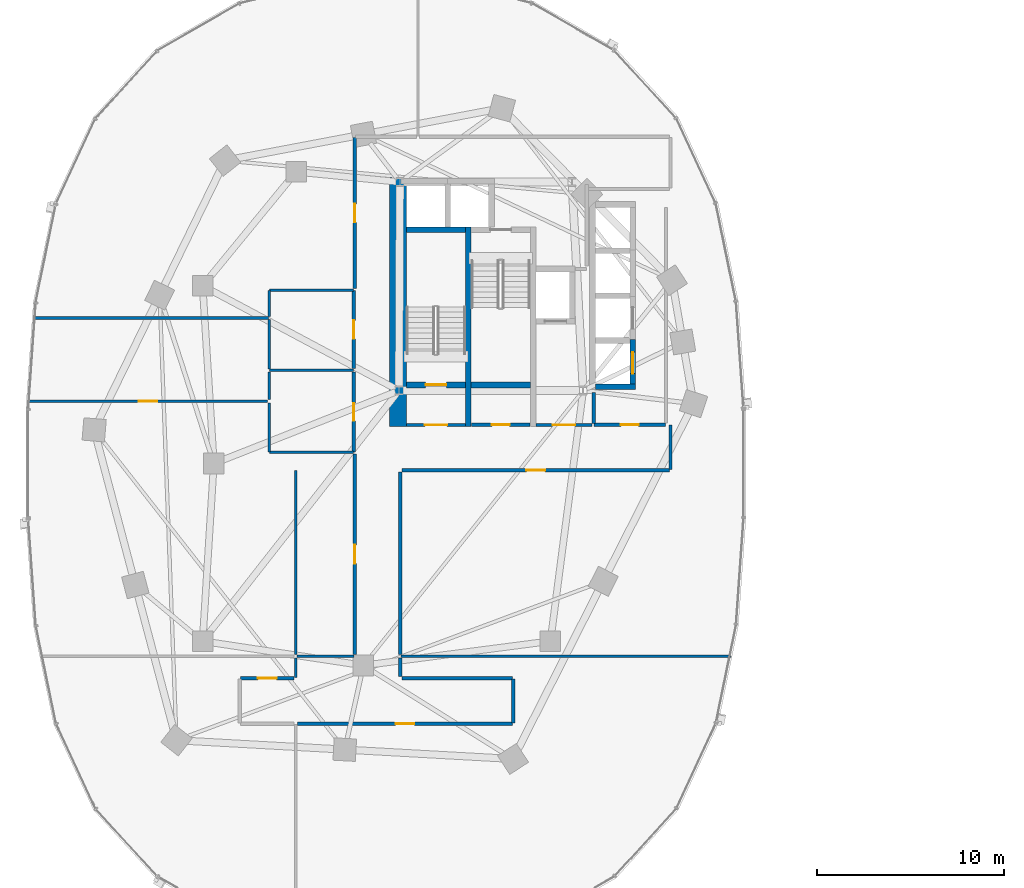
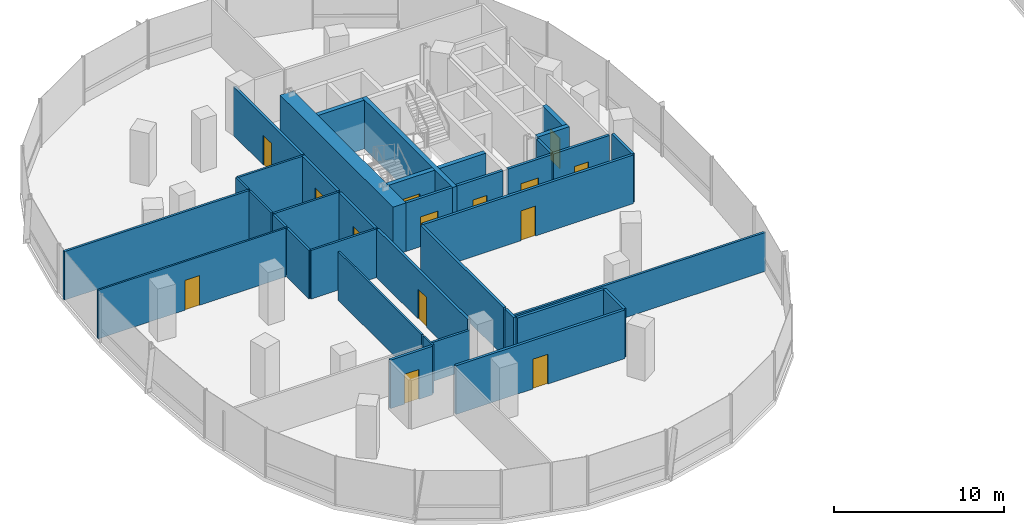
# One storey, part 11 of 21: 37 walls, 14 doors, 14 openings.
"""IFC4 building model written with IfcOpenShell, lengths in metres."""

from ifc_helpers import new_model, si_unit, direction, frame, frame_2d, origin, place, context, subcontext, project, spatial, rectangle, extrude, material, layer, layer_set, type_object, element, fill, save


model = new_model("IFC4")

# Units and contexts
model_context = context("Model", 3, precision=1e-05, world=origin(), true_north=direction((0.0, 1.0)))
body_context = subcontext(model_context, "Body", "Model", "MODEL_VIEW")
ifc_project = project(units=[si_unit("LENGTHUNIT", "METRE"), si_unit("AREAUNIT", "SQUARE_METRE"), si_unit("VOLUMEUNIT", "CUBIC_METRE"), si_unit("PLANEANGLEUNIT", "RADIAN"), si_unit("MASSUNIT", "GRAM", prefix="KILO"), si_unit("THERMODYNAMICTEMPERATUREUNIT", "KELVIN"), si_unit("POWERUNIT", "WATT")], contexts=[model_context])

# Site, building, storey
site_placement = place(None, origin())
site = spatial("IfcSite", under=ifc_project, at=site_placement, CompositionType="ELEMENT")
building_placement = place(site_placement, origin())
building = spatial("IfcBuilding", under=site, at=building_placement, Name="Cundina Bronze Exchange", CompositionType="ELEMENT")
storey_placement = place(building_placement, frame((0.0, 0.0, 54.39990234375)))
storey = spatial("IfcBuildingStorey", under=building, at=storey_placement, Name="L13", CompositionType="ELEMENT", Elevation=54.39990234375)

# Wall
ifc_material_1 = material(Name="Gypsum Fireboard Partition EI120")
ifc_layer_1 = layer(ifc_material_1, 0.179931640625, Name="Gypsum Fireboard Partition EI120")
ifc_layer_set_1 = layer_set([ifc_layer_1], Name="Gypsum Fireboard Partition EI120")
wall_type_1 = type_object("IfcWallType", Name="WL-COR-180", PredefinedType="PARTITIONING", material=ifc_layer_set_1)
wall_1_placement = place(storey_placement, frame((-20.889892578125, 2.14990234375, 0.0), z_axis=(0.0, 0.0, 1.0), x_axis=(0.0, 1.0, 0.0)))
element("IfcWall", 1, at=wall_1_placement, inside=storey, type_object=wall_type_1, Name="L13 W Firefighting Lobby Side Wall", PredefinedType="PARTITIONING", context=body_context, shape_type="SweptSolid", body=[
    extrude(rectangle(XDim=1.650146484375, YDim=0.179931640625, at=frame_2d((0.8251953125, 0.0))), origin(), (0.0, 0.0, 1.0), 3.5),
])

# Wall, opening, door
wall_2_placement = place(storey_placement, frame((-23.97998046875, 2.06005859375, 0.0), z_axis=(0.0, 0.0, 1.0), x_axis=(1.0, 0.0, 0.0)))
wall_2 = element("IfcWall", 2, at=wall_2_placement, inside=storey, type_object=wall_type_1, Name="L13 W Firefighting Lobby Exit Wall", PredefinedType="PARTITIONING", context=body_context, shape_type="SweptSolid", body=[
    extrude(rectangle(XDim=3.0, YDim=0.179931640625, at=frame_2d((1.5, 0.0))), origin(), (0.0, 0.0, 1.0), 3.5),
])
opening_1_placement = place(wall_2_placement, frame((0.89990234375, 0.0, 0.0)))
opening_1 = element("IfcOpeningElement", 3, at=opening_1_placement, cuts=wall_2, Name="Opening DF-01", PredefinedType="OPENING", context=body_context, shape_type="SweptSolid", body=[
    extrude(rectangle(XDim=1.199951171875, YDim=2.14990234375, at=frame_2d((0.60009765625, 1.074951171875))), frame((0.0, 0.099853515625, 0.0), z_axis=(0.0, -1.0, 0.0), x_axis=(1.0, 0.0, 0.0)), (0.0, 0.0, 1.0), 0.199951171875),
])
ifc_material_2 = material(Name="Steel ASTM A36 Painted", Category="steel")
door_type_1 = type_object("IfcDoorType", Name="DR-FFL-1200", OperationType="NOTDEFINED", PredefinedType="DOOR", material=ifc_material_2)
door_1_placement = place(opening_1_placement, origin())
door_1 = element("IfcDoor", 4, at=door_1_placement, inside=storey, type_object=door_type_1, Name="L13 W Firefighting Lobby Door", OperationType="SINGLE_SWING_RIGHT", OverallHeight=2.14990234375, OverallWidth=1.199951171875, PredefinedType="DOOR", context=body_context, shape_type="SweptSolid", body=[
    extrude(rectangle(XDim=1.199951171875, YDim=2.14990234375, at=frame_2d((0.60009765625, 1.074951171875))), frame((0.0, 0.02490234375, 0.0), z_axis=(0.0, -1.0, 0.0), x_axis=(1.0, 0.0, 0.0)), (0.0, 0.0, 1.0), 0.050048828125),
])
fill(opening_1, door_1)

wall_3_placement = place(storey_placement, frame((-30.89990234375, 2.06005859375, 0.0), z_axis=(0.0, 0.0, 1.0), x_axis=(1.0, 0.0, 0.0)))
wall_3 = element("IfcWall", 5, at=wall_3_placement, inside=storey, type_object=wall_type_1, Name="L13 W Stair Vestibule Exit Wall", PredefinedType="PARTITIONING", context=body_context, shape_type="SweptSolid", body=[
    extrude(rectangle(XDim=3.159912109375, YDim=0.179931640625, at=frame_2d((1.580078125, 0.0))), origin(), (0.0, 0.0, 1.0), 3.5),
])
opening_2_placement = place(wall_3_placement, frame((0.97998046875, 0.0, 0.0)))
opening_2 = element("IfcOpeningElement", 6, at=opening_2_placement, cuts=wall_3, Name="Opening DF-01", PredefinedType="OPENING", context=body_context, shape_type="SweptSolid", body=[
    extrude(rectangle(XDim=1.199951171875, YDim=2.14990234375, at=frame_2d((0.60009765625, 1.074951171875))), frame((0.0, 0.099853515625, 0.0), z_axis=(0.0, -1.0, 0.0), x_axis=(1.0, 0.0, 0.0)), (0.0, 0.0, 1.0), 0.199951171875),
])
door_2_placement = place(opening_2_placement, origin())
door_2 = element("IfcDoor", 7, at=door_2_placement, inside=storey, type_object=door_type_1, Name="L13 W Stair Vestibule Door", OperationType="SINGLE_SWING_LEFT", OverallHeight=2.14990234375, OverallWidth=1.199951171875, PredefinedType="DOOR", context=body_context, shape_type="SweptSolid", body=[
    extrude(rectangle(XDim=1.199951171875, YDim=2.14990234375, at=frame_2d((0.60009765625, 1.074951171875))), frame((0.0, 0.02490234375, 0.0), z_axis=(0.0, -1.0, 0.0), x_axis=(1.0, 0.0, 0.0)), (0.0, 0.0, 1.0), 0.050048828125),
])
fill(opening_2, door_2)

wall_4_placement = place(storey_placement, frame((-20.8701171875, 2.070068359375, 0.0), z_axis=(0.0, 0.0, 1.0), x_axis=(1.0, 0.0, 0.0)))
wall_4 = element("IfcWall", 8, at=wall_4_placement, inside=storey, type_object=wall_type_1, Name="L13 Interior Partition 002", PredefinedType="PARTITIONING", context=body_context, shape_type="SweptSolid", body=[
    extrude(rectangle(XDim=3.830078125, YDim=0.179931640625, at=frame_2d((1.9150390625, 0.0))), origin(), (0.0, 0.0, 1.0), 3.5),
])
opening_3_placement = place(wall_4_placement, frame((1.43994140625, 0.0, 0.0)))
opening_3 = element("IfcOpeningElement", 9, at=opening_3_placement, cuts=wall_4, Name="Opening DW-01", PredefinedType="OPENING", context=body_context, shape_type="SweptSolid", body=[
    extrude(rectangle(XDim=0.949951171875, YDim=2.10009765625, at=frame_2d((0.47509765625, 1.050048828125))), frame((0.0, 0.099853515625, 0.0), z_axis=(0.0, -1.0, 0.0), x_axis=(1.0, 0.0, 0.0)), (0.0, 0.0, 1.0), 0.199951171875),
])
ifc_material_3 = material(Name="Solid Andean Oak Timber Grade A", Category="wood")
door_type_2 = type_object("IfcDoorType", Name="DR-WC-950", OperationType="NOTDEFINED", PredefinedType="DOOR", material=ifc_material_3)
door_3_placement = place(opening_3_placement, origin())
door_3 = element("IfcDoor", 10, at=door_3_placement, inside=storey, type_object=door_type_2, Name="L13 Interior Door 002", OperationType="SINGLE_SWING_RIGHT", OverallHeight=2.10009765625, OverallWidth=0.949951171875, PredefinedType="DOOR", context=body_context, shape_type="SweptSolid", body=[
    extrude(rectangle(XDim=0.949951171875, YDim=2.10009765625, at=frame_2d((0.47509765625, 1.050048828125))), frame((0.0, 0.02490234375, 0.0), z_axis=(0.0, -1.0, 0.0), x_axis=(1.0, 0.0, 0.0)), (0.0, 0.0, 1.0), 0.050048828125),
])
fill(opening_3, door_3)

wall_5_placement = place(storey_placement, frame((-27.419921875, 2.070068359375, 0.0), z_axis=(0.0, 0.0, 1.0), x_axis=(1.0, 0.0, 0.0)))
wall_5 = element("IfcWall", 11, at=wall_5_placement, inside=storey, type_object=wall_type_1, Name="L13 Interior Partition 005", PredefinedType="PARTITIONING", context=body_context, shape_type="SweptSolid", body=[
    extrude(rectangle(XDim=3.119873046875, YDim=0.179931640625, at=frame_2d((1.56005859375, 0.0))), origin(), (0.0, 0.0, 1.0), 3.5),
])
opening_4_placement = place(wall_5_placement, frame((1.0849609375, 0.0, 0.0)))
opening_4 = element("IfcOpeningElement", 12, at=opening_4_placement, cuts=wall_5, Name="Opening DW-01", PredefinedType="OPENING", context=body_context, shape_type="SweptSolid", body=[
    extrude(rectangle(XDim=0.949951171875, YDim=2.10009765625, at=frame_2d((0.47509765625, 1.050048828125))), frame((0.0, 0.099853515625, 0.0), z_axis=(0.0, -1.0, 0.0), x_axis=(1.0, 0.0, 0.0)), (0.0, 0.0, 1.0), 0.199951171875),
])
door_4_placement = place(opening_4_placement, origin())
door_4 = element("IfcDoor", 13, at=door_4_placement, inside=storey, type_object=door_type_2, Name="L13 Interior Door 005", OperationType="SINGLE_SWING_RIGHT", OverallHeight=2.10009765625, OverallWidth=0.949951171875, PredefinedType="DOOR", context=body_context, shape_type="SweptSolid", body=[
    extrude(rectangle(XDim=0.949951171875, YDim=2.10009765625, at=frame_2d((0.47509765625, 1.050048828125))), frame((0.0, 0.02490234375, 0.0), z_axis=(0.0, -1.0, 0.0), x_axis=(1.0, 0.0, 0.0)), (0.0, 0.0, 1.0), 0.050048828125),
])
fill(opening_4, door_4)

wall_6_placement = place(storey_placement, frame((-33.719970703125, 0.6201171875, 0.0), z_axis=(0.0, 0.0, 1.0), x_axis=(0.0, 1.0, 0.0)))
wall_6 = element("IfcWall", 14, at=wall_6_placement, inside=storey, type_object=wall_type_1, Name="L13 Interior Partition 013", PredefinedType="PARTITIONING", context=body_context, shape_type="SweptSolid", body=[
    extrude(rectangle(XDim=4.259765625, YDim=0.179931640625, at=frame_2d((2.1298828125, 0.0))), origin(), (0.0, 0.0, 1.0), 3.5),
])
opening_5_placement = place(wall_6_placement, frame((1.655029296875, 0.0, 0.0)))
opening_5 = element("IfcOpeningElement", 15, at=opening_5_placement, cuts=wall_6, Name="Opening DW-01", PredefinedType="OPENING", context=body_context, shape_type="SweptSolid", body=[
    extrude(rectangle(XDim=0.949951171875, YDim=2.10009765625, at=frame_2d((0.47509765625, 1.050048828125))), frame((0.0, 0.099853515625, 0.0), z_axis=(0.0, -1.0, 0.0), x_axis=(1.0, 0.0, 0.0)), (0.0, 0.0, 1.0), 0.199951171875),
])
door_5_placement = place(opening_5_placement, origin())
door_5 = element("IfcDoor", 16, at=door_5_placement, inside=storey, type_object=door_type_2, Name="L13 Interior Door 013", OperationType="SINGLE_SWING_RIGHT", OverallHeight=2.10009765625, OverallWidth=0.949951171875, PredefinedType="DOOR", context=body_context, shape_type="SweptSolid", body=[
    extrude(rectangle(XDim=0.949951171875, YDim=2.10009765625, at=frame_2d((0.47509765625, 1.050048828125))), frame((0.0, 0.02490234375, 0.0), z_axis=(0.0, -1.0, 0.0), x_axis=(1.0, 0.0, 0.0)), (0.0, 0.0, 1.0), 0.050048828125),
])
fill(opening_5, door_5)

wall_7_placement = place(storey_placement, frame((-33.719970703125, 5.080078125, 0.0), z_axis=(0.0, 0.0, 1.0), x_axis=(0.0, 1.0, 0.0)))
wall_7 = element("IfcWall", 17, at=wall_7_placement, inside=storey, type_object=wall_type_1, Name="L13 Interior Partition 014", PredefinedType="PARTITIONING", context=body_context, shape_type="SweptSolid", body=[
    extrude(rectangle(XDim=4.159912109375, YDim=0.179931640625, at=frame_2d((2.080078125, 0.0))), origin(), (0.0, 0.0, 1.0), 3.5),
])
opening_6_placement = place(wall_7_placement, frame((1.580078125, 0.0, 0.0)))
opening_6 = element("IfcOpeningElement", 18, at=opening_6_placement, cuts=wall_7, Name="Opening DO-01", PredefinedType="OPENING", context=body_context, shape_type="SweptSolid", body=[
    extrude(rectangle(XDim=1.0, YDim=2.14990234375, at=frame_2d((0.5, 1.074951171875))), frame((0.0, 0.099853515625, 0.0), z_axis=(0.0, -1.0, 0.0), x_axis=(1.0, 0.0, 0.0)), (0.0, 0.0, 1.0), 0.199951171875),
])
door_type_3 = type_object("IfcDoorType", Name="DR-OFF-1000", OperationType="NOTDEFINED", PredefinedType="DOOR", material=ifc_material_3)
door_6_placement = place(opening_6_placement, origin())
door_6 = element("IfcDoor", 19, at=door_6_placement, inside=storey, type_object=door_type_3, Name="L13 Interior Door 014", OperationType="SINGLE_SWING_RIGHT", OverallHeight=2.14990234375, OverallWidth=1.0, PredefinedType="DOOR", context=body_context, shape_type="SweptSolid", body=[
    extrude(rectangle(XDim=1.0, YDim=2.14990234375, at=frame_2d((0.5, 1.074951171875))), frame((0.0, 0.02490234375, 0.0), z_axis=(0.0, -1.0, 0.0), x_axis=(1.0, 0.0, 0.0)), (0.0, 0.0, 1.0), 0.050048828125),
])
fill(opening_6, door_6)

wall_8_placement = place(storey_placement, frame((-36.72998046875, -13.919921875, 0.0), z_axis=(0.0, 0.0, 1.0), x_axis=(1.0, 0.0, 0.0)))
wall_8 = element("IfcWall", 20, at=wall_8_placement, inside=storey, type_object=wall_type_1, Name="L13 Interior Partition 023", PredefinedType="PARTITIONING", context=body_context, shape_type="SweptSolid", body=[
    extrude(rectangle(XDim=11.508544921875, YDim=0.179931640625, at=frame_2d((5.75439453125, 0.0))), origin(), (0.0, 0.0, 1.0), 3.5),
])
opening_7_placement = place(wall_8_placement, frame((5.254150390625, 0.0, 0.0)))
opening_7 = element("IfcOpeningElement", 21, at=opening_7_placement, cuts=wall_8, Name="Opening DO-01", PredefinedType="OPENING", context=body_context, shape_type="SweptSolid", body=[
    extrude(rectangle(XDim=1.0, YDim=2.14990234375, at=frame_2d((0.5, 1.074951171875))), frame((0.0, 0.099853515625, 0.0), z_axis=(0.0, -1.0, 0.0), x_axis=(1.0, 0.0, 0.0)), (0.0, 0.0, 1.0), 0.199951171875),
])
door_7_placement = place(opening_7_placement, origin())
door_7 = element("IfcDoor", 22, at=door_7_placement, inside=storey, type_object=door_type_3, Name="L13 Interior Door 023", OperationType="SINGLE_SWING_RIGHT", OverallHeight=2.14990234375, OverallWidth=1.0, PredefinedType="DOOR", context=body_context, shape_type="SweptSolid", body=[
    extrude(rectangle(XDim=1.0, YDim=2.14990234375, at=frame_2d((0.5, 1.074951171875))), frame((0.0, 0.02490234375, 0.0), z_axis=(0.0, -1.0, 0.0), x_axis=(1.0, 0.0, 0.0)), (0.0, 0.0, 1.0), 0.050048828125),
])
fill(opening_7, door_7)

# Walls
wall_9_placement = place(storey_placement, frame((-25.221435546875, -11.47998046875, 0.0), z_axis=(0.0, 0.0, 1.0), x_axis=(-1.0, 0.0, 0.0)))
element("IfcWall", 23, at=wall_9_placement, inside=storey, type_object=wall_type_1, Name="L13 Interior Partition 024", PredefinedType="PARTITIONING", context=body_context, shape_type="SweptSolid", body=[
    extrude(rectangle(XDim=5.928466796875, YDim=0.179931640625, at=frame_2d((2.96435546875, 0.0))), origin(), (0.0, 0.0, 1.0), 3.5),
])
wall_10_placement = place(storey_placement, frame((-25.179931640625, -13.87841796875, 0.0), z_axis=(0.0, 0.0, 1.0), x_axis=(0.0, 1.0, 0.0)))
element("IfcWall", 24, at=wall_10_placement, inside=storey, type_object=wall_type_1, Name="L13 Interior Partition 025", PredefinedType="PARTITIONING", context=body_context, shape_type="SweptSolid", body=[
    extrude(rectangle(XDim=2.35693359375, YDim=0.179931640625, at=frame_2d((1.178466796875, 0.0))), origin(), (0.0, 0.0, 1.0), 3.5),
])
wall_11_placement = place(storey_placement, frame((-31.22998046875, -11.39990234375, 0.0), z_axis=(0.0, 0.0, 1.0), x_axis=(0.0, 1.0, 0.0)))
element("IfcWall", 25, at=wall_11_placement, inside=storey, type_object=wall_type_1, Name="L13 Interior Partition 026", PredefinedType="PARTITIONING", context=body_context, shape_type="SweptSolid", body=[
    extrude(rectangle(XDim=1.0, YDim=0.179931640625, at=frame_2d((0.5, 0.0))), origin(), (0.0, 0.0, 1.0), 3.5),
])

# Wall, opening, door
wall_12_placement = place(storey_placement, frame((-36.909912109375, -11.47998046875, 0.0), z_axis=(0.0, 0.0, 1.0), x_axis=(-1.0, 0.0, 0.0)))
wall_12 = element("IfcWall", 26, at=wall_12_placement, inside=storey, type_object=wall_type_1, Name="L13 Interior Partition 027", PredefinedType="PARTITIONING", context=body_context, shape_type="SweptSolid", body=[
    extrude(rectangle(XDim=2.86865234375, YDim=0.179931640625, at=frame_2d((1.434326171875, 0.0))), origin(), (0.0, 0.0, 1.0), 3.5),
])
opening_8_placement = place(wall_12_placement, frame((0.934326171875, 0.0, 0.0)))
opening_8 = element("IfcOpeningElement", 27, at=opening_8_placement, cuts=wall_12, Name="Opening DO-01", PredefinedType="OPENING", context=body_context, shape_type="SweptSolid", body=[
    extrude(rectangle(XDim=1.0, YDim=2.14990234375, at=frame_2d((0.5, 1.074951171875))), frame((0.0, 0.099853515625, 0.0), z_axis=(0.0, -1.0, 0.0), x_axis=(1.0, 0.0, 0.0)), (0.0, 0.0, 1.0), 0.199951171875),
])
door_8_placement = place(opening_8_placement, origin())
door_8 = element("IfcDoor", 28, at=door_8_placement, inside=storey, type_object=door_type_3, Name="L13 Interior Door 027", OperationType="SINGLE_SWING_LEFT", OverallHeight=2.14990234375, OverallWidth=1.0, PredefinedType="DOOR", context=body_context, shape_type="SweptSolid", body=[
    extrude(rectangle(XDim=1.0, YDim=2.14990234375, at=frame_2d((0.5, 1.074951171875))), frame((0.0, 0.02490234375, 0.0), z_axis=(0.0, -1.0, 0.0), x_axis=(1.0, 0.0, 0.0)), (0.0, 0.0, 1.0), 0.050048828125),
])
fill(opening_8, door_8)

wall_13_placement = place(storey_placement, frame((-33.669921875, 0.508544921875, 0.0), z_axis=(0.0, 0.0, 1.0), x_axis=(0.0, -1.0, 0.0)))
wall_13 = element("IfcWall", 29, at=wall_13_placement, inside=storey, type_object=wall_type_1, Name="L13 Interior Partition 030", PredefinedType="PARTITIONING", context=body_context, shape_type="SweptSolid", body=[
    extrude(rectangle(XDim=10.728515625, YDim=0.179931640625, at=frame_2d((5.3642578125, 0.0))), origin(), (0.0, 0.0, 1.0), 3.5),
])
opening_9_placement = place(wall_13_placement, frame((4.8642578125, 0.0, 0.0)))
opening_9 = element("IfcOpeningElement", 30, at=opening_9_placement, cuts=wall_13, Name="Opening DO-01", PredefinedType="OPENING", context=body_context, shape_type="SweptSolid", body=[
    extrude(rectangle(XDim=1.0, YDim=2.14990234375, at=frame_2d((0.5, 1.074951171875))), frame((0.0, 0.099853515625, 0.0), z_axis=(0.0, -1.0, 0.0), x_axis=(1.0, 0.0, 0.0)), (0.0, 0.0, 1.0), 0.199951171875),
])
door_9_placement = place(opening_9_placement, origin())
door_9 = element("IfcDoor", 31, at=door_9_placement, inside=storey, type_object=door_type_3, Name="L13 Interior Door 030", OperationType="SINGLE_SWING_LEFT", OverallHeight=2.14990234375, OverallWidth=1.0, PredefinedType="DOOR", context=body_context, shape_type="SweptSolid", body=[
    extrude(rectangle(XDim=1.0, YDim=2.14990234375, at=frame_2d((0.5, 1.074951171875))), frame((0.0, 0.02490234375, 0.0), z_axis=(0.0, -1.0, 0.0), x_axis=(1.0, 0.0, 0.0)), (0.0, 0.0, 1.0), 0.050048828125),
])
fill(opening_9, door_9)

wall_14_placement = place(storey_placement, frame((-31.14990234375, -0.3701171875, 0.0), z_axis=(0.0, 0.0, 1.0), x_axis=(1.0, 0.0, 0.0)))
wall_14 = element("IfcWall", 32, at=wall_14_placement, inside=storey, type_object=wall_type_1, Name="L13 Interior Partition 031", PredefinedType="PARTITIONING", context=body_context, shape_type="SweptSolid", body=[
    extrude(rectangle(XDim=14.328369140625, YDim=0.179931640625, at=frame_2d((7.1640625, 0.0))), origin(), (0.0, 0.0, 1.0), 3.5),
])
opening_10_placement = place(wall_14_placement, frame((6.664306640625, 0.0, 0.0)))
opening_10 = element("IfcOpeningElement", 33, at=opening_10_placement, cuts=wall_14, Name="Opening DO-01", PredefinedType="OPENING", context=body_context, shape_type="SweptSolid", body=[
    extrude(rectangle(XDim=1.0, YDim=2.14990234375, at=frame_2d((0.5, 1.074951171875))), frame((0.0, 0.099853515625, 0.0), z_axis=(0.0, -1.0, 0.0), x_axis=(1.0, 0.0, 0.0)), (0.0, 0.0, 1.0), 0.199951171875),
])
door_10_placement = place(opening_10_placement, origin())
door_10 = element("IfcDoor", 34, at=door_10_placement, inside=storey, type_object=door_type_3, Name="L13 Interior Door 031", OperationType="SINGLE_SWING_RIGHT", OverallHeight=2.14990234375, OverallWidth=1.0, PredefinedType="DOOR", context=body_context, shape_type="SweptSolid", body=[
    extrude(rectangle(XDim=1.0, YDim=2.14990234375, at=frame_2d((0.5, 1.074951171875))), frame((0.0, 0.02490234375, 0.0), z_axis=(0.0, -1.0, 0.0), x_axis=(1.0, 0.0, 0.0)), (0.0, 0.0, 1.0), 0.050048828125),
])
fill(opening_10, door_10)

# Walls
wall_15_placement = place(storey_placement, frame((-31.22998046875, -10.219970703125, 0.0), z_axis=(0.0, 0.0, 1.0), x_axis=(0.0, 1.0, 0.0)))
element("IfcWall", 35, at=wall_15_placement, inside=storey, type_object=wall_type_1, Name="L13 Interior Partition 033", PredefinedType="PARTITIONING", context=body_context, shape_type="SweptSolid", body=[
    extrude(rectangle(XDim=9.77001953125, YDim=0.179931640625, at=frame_2d((4.885009765625, 0.0))), origin(), (0.0, 0.0, 1.0), 3.5),
])
wall_16_placement = place(storey_placement, frame((-16.780029296875, -0.32861328125, 0.0), z_axis=(0.0, 0.0, 1.0), x_axis=(0.0, 1.0, 0.0)))
element("IfcWall", 36, at=wall_16_placement, inside=storey, type_object=wall_type_1, Name="L13 Interior Partition 036", PredefinedType="PARTITIONING", context=body_context, shape_type="SweptSolid", body=[
    extrude(rectangle(XDim=2.38720703125, YDim=0.179931640625, at=frame_2d((1.193603515625, 0.0))), origin(), (0.0, 0.0, 1.0), 3.5),
])

# Wall, opening, door
wall_17_placement = place(storey_placement, frame((-33.669921875, 17.428466796875, 0.0), z_axis=(0.0, 0.0, 1.0), x_axis=(0.0, -1.0, 0.0)))
wall_17 = element("IfcWall", 37, at=wall_17_placement, inside=storey, type_object=wall_type_1, Name="L13 Interior Partition 037", PredefinedType="PARTITIONING", context=body_context, shape_type="SweptSolid", body=[
    extrude(rectangle(XDim=8.0771484375, YDim=0.179931640625, at=frame_2d((4.03857421875, 0.0))), origin(), (0.0, 0.0, 1.0), 3.5),
])
opening_11_placement = place(wall_17_placement, frame((3.53857421875, 0.0, 0.0)))
opening_11 = element("IfcOpeningElement", 38, at=opening_11_placement, cuts=wall_17, Name="Opening DO-01", PredefinedType="OPENING", context=body_context, shape_type="SweptSolid", body=[
    extrude(rectangle(XDim=1.0, YDim=2.14990234375, at=frame_2d((0.5, 1.074951171875))), frame((0.0, 0.099853515625, 0.0), z_axis=(0.0, -1.0, 0.0), x_axis=(1.0, 0.0, 0.0)), (0.0, 0.0, 1.0), 0.199951171875),
])
door_11_placement = place(opening_11_placement, origin())
door_11 = element("IfcDoor", 39, at=door_11_placement, inside=storey, type_object=door_type_3, Name="L13 Interior Door 037", OperationType="SINGLE_SWING_LEFT", OverallHeight=2.14990234375, OverallWidth=1.0, PredefinedType="DOOR", context=body_context, shape_type="SweptSolid", body=[
    extrude(rectangle(XDim=1.0, YDim=2.14990234375, at=frame_2d((0.5, 1.074951171875))), frame((0.0, 0.02490234375, 0.0), z_axis=(0.0, -1.0, 0.0), x_axis=(1.0, 0.0, 0.0)), (0.0, 0.0, 1.0), 0.050048828125),
])
fill(opening_11, door_11)

# Walls
ifc_material_4 = material(Name="Concrete C60/75", Category="concrete")
ifc_layer_2 = layer(ifc_material_4, 0.89990234375, Name="Concrete C60/75", Category="concrete")
ifc_layer_set_2 = layer_set([ifc_layer_2], Name="Concrete C60/75")
wall_type_2 = type_object("IfcWallType", Name="WL-CORE-900", PredefinedType="SHEAR", material=ifc_layer_set_2)
wall_18_placement = place(storey_placement, frame((-31.35009765625, 1.969970703125, 0.0), z_axis=(0.0, 0.0, 1.0), x_axis=(0.0, 1.0, 0.0)))
element("IfcWall", 40, at=wall_18_placement, inside=storey, type_object=wall_type_2, Name="L13 W Primary Core Shear Spine Wall", PredefinedType="SHEAR", context=body_context, shape_type="SweptSolid", body=[
    extrude(rectangle(XDim=13.330078125, YDim=0.89990234375, at=frame_2d((6.6650390625, 0.0))), origin(), (0.0, 0.0, 1.0), 3.5),
])
ifc_material_5 = material(Name="Gypsum Acoustic Partition EI60")
ifc_layer_3 = layer(ifc_material_5, 0.125, Name="Gypsum Acoustic Partition EI60")
ifc_layer_set_3 = layer_set([ifc_layer_3], Name="Gypsum Acoustic Partition EI60")
wall_type_3 = type_object("IfcWallType", Name="WL-OFF-125", PredefinedType="PARTITIONING", material=ifc_layer_set_3)
wall_19_placement = place(storey_placement, frame((-36.820068359375, -11.449951171875, 0.0), z_axis=(0.0, 0.0, 1.0), x_axis=(0.0, 1.0, 0.0)))
element("IfcWall", 41, at=wall_19_placement, inside=storey, type_object=wall_type_3, Name="L13 Interior Partition 016", PredefinedType="PARTITIONING", context=body_context, shape_type="SweptSolid", body=[
    extrude(rectangle(XDim=1.054931640625, YDim=0.125, at=frame_2d((0.52734375, 0.0))), origin(), (0.0, 0.0, 1.0), 3.5),
])
wall_20_placement = place(storey_placement, frame((-36.820068359375, -10.22509765625, 0.0), z_axis=(0.0, 0.0, 1.0), x_axis=(0.0, 1.0, 0.0)))
element("IfcWall", 42, at=wall_20_placement, inside=storey, type_object=wall_type_3, Name="L13 Interior Partition 017", PredefinedType="PARTITIONING", context=body_context, shape_type="SweptSolid", body=[
    extrude(rectangle(XDim=9.85498046875, YDim=0.125, at=frame_2d((4.927490234375, 0.0))), origin(), (0.0, 0.0, 1.0), 3.5),
])

# Wall, opening, door
wall_21_placement = place(storey_placement, frame((-38.320068359375, 3.330078125, 0.0), z_axis=(0.0, 0.0, 1.0), x_axis=(-1.0, 0.0, 0.0)))
wall_21 = element("IfcWall", 43, at=wall_21_placement, inside=storey, type_object=wall_type_3, Name="L13 Interior Partition 039", PredefinedType="PARTITIONING", context=body_context, shape_type="SweptSolid", body=[
    extrude(rectangle(XDim=12.80126953125, YDim=0.125, at=frame_2d((6.400634765625, 0.0))), origin(), (0.0, 0.0, 1.0), 3.5),
])
opening_12_placement = place(wall_21_placement, frame((5.900634765625, 0.0, 0.0)))
opening_12 = element("IfcOpeningElement", 44, at=opening_12_placement, cuts=wall_21, Name="Opening DO-01", PredefinedType="OPENING", context=body_context, shape_type="SweptSolid", body=[
    extrude(rectangle(XDim=1.0, YDim=2.14990234375, at=frame_2d((0.5, 1.074951171875))), frame((0.0, 0.072509765625, 0.0), z_axis=(0.0, -1.0, 0.0), x_axis=(1.0, 0.0, 0.0)), (0.0, 0.0, 1.0), 0.14501953125),
])
door_12_placement = place(opening_12_placement, origin())
door_12 = element("IfcDoor", 45, at=door_12_placement, inside=storey, type_object=door_type_3, Name="L13 Interior Door 039", OperationType="SINGLE_SWING_RIGHT", OverallHeight=2.14990234375, OverallWidth=1.0, PredefinedType="DOOR", context=body_context, shape_type="SweptSolid", body=[
    extrude(rectangle(XDim=1.0, YDim=2.14990234375, at=frame_2d((0.5, 1.074951171875))), frame((0.0, 0.02490234375, 0.0), z_axis=(0.0, -1.0, 0.0), x_axis=(1.0, 0.0, 0.0)), (0.0, 0.0, 1.0), 0.050048828125),
])
fill(opening_12, door_12)

# Wall
ifc_material_6 = material(Name="Concrete C50/60", Category="concrete")
ifc_layer_4 = layer(ifc_material_6, 0.300048828125, Name="Concrete C50/60", Category="concrete")
ifc_layer_set_4 = layer_set([ifc_layer_4], Name="Concrete C50/60")
wall_type_4 = type_object("IfcWallType", Name="WL-SHFT-300", PredefinedType="SHEAR", material=ifc_layer_set_4)
wall_22_placement = place(storey_placement, frame((-27.590087890625, 1.969970703125, 0.0), z_axis=(0.0, 0.0, 1.0), x_axis=(0.0, 1.0, 0.0)))
element("IfcWall", 46, at=wall_22_placement, inside=storey, type_object=wall_type_4, Name="L13 W Stair Shaft Dividing Shear Wall", PredefinedType="SHEAR", context=body_context, shape_type="SweptSolid", body=[
    extrude(rectangle(XDim=10.679931640625, YDim=0.300048828125, at=frame_2d((5.33984375, 0.0))), origin(), (0.0, 0.0, 1.0), 3.5),
])

# Wall, opening, door
wall_23_placement = place(storey_placement, frame((-30.89990234375, 4.199951171875, 0.0), z_axis=(0.0, 0.0, 1.0), x_axis=(1.0, 0.0, 0.0)))
wall_23 = element("IfcWall", 47, at=wall_23_placement, inside=storey, type_object=wall_type_4, Name="L13 Stair W1 Landing Wall", PredefinedType="SHEAR", context=body_context, shape_type="SweptSolid", body=[
    extrude(rectangle(XDim=3.159912109375, YDim=0.300048828125, at=frame_2d((1.580078125, 0.0))), origin(), (0.0, 0.0, 1.0), 3.5),
])
opening_13_placement = place(wall_23_placement, frame((1.030029296875, 0.0, 0.0)))
opening_13 = element("IfcOpeningElement", 48, at=opening_13_placement, cuts=wall_23, Name="Opening DS-01", PredefinedType="OPENING", context=body_context, shape_type="SweptSolid", body=[
    extrude(rectangle(XDim=1.10009765625, YDim=2.14990234375, at=frame_2d((0.550048828125, 1.074951171875))), frame((0.0, 0.159912109375, 0.0), z_axis=(0.0, -1.0, 0.0), x_axis=(1.0, 0.0, 0.0)), (0.0, 0.0, 1.0), 0.320068359375),
])
door_type_4 = type_object("IfcDoorType", Name="DR-STR-1100", OperationType="NOTDEFINED", PredefinedType="DOOR", material=ifc_material_2)
door_13_placement = place(opening_13_placement, origin())
door_13 = element("IfcDoor", 49, at=door_13_placement, inside=storey, type_object=door_type_4, Name="L13 Smokeproof Stair W1 Door", OperationType="SINGLE_SWING_RIGHT", OverallHeight=2.14990234375, OverallWidth=1.10009765625, PredefinedType="DOOR", context=body_context, shape_type="SweptSolid", body=[
    extrude(rectangle(XDim=1.10009765625, YDim=2.14990234375, at=frame_2d((0.550048828125, 1.074951171875))), frame((0.0, 0.02490234375, 0.0), z_axis=(0.0, -1.0, 0.0), x_axis=(1.0, 0.0, 0.0)), (0.0, 0.0, 1.0), 0.050048828125),
])
fill(opening_13, door_13)

# Walls
for number, where, z_axis, x_axis, name in (
    (50, (-30.89990234375, 12.5, 0.0), (0.0, 0.0, 1.0), (1.0, 0.0, 0.0), "L13 Stair W1 Far Shaft Wall"),
    (51, (-27.43994140625, 4.199951171875, 0.0), (0.0, 0.0, 1.0), (1.0, 0.0, 0.0), "L13 Stair W2 Far Shaft Wall"),
):
    element("IfcWall", number, at=place(storey_placement, frame(where, z_axis=z_axis, x_axis=x_axis)), inside=storey, type_object=wall_type_4, Name=name, PredefinedType="SHEAR", context=body_context, shape_type="SweptSolid", body=[
        extrude(rectangle(XDim=3.159912109375, YDim=0.300048828125, at=frame_2d((1.580078125, 0.0))), origin(), (0.0, 0.0, 1.0), 3.5),
    ])
wall_24_placement = place(storey_placement, frame((-20.800048828125, 4.10009765625, 0.0), z_axis=(0.0, 0.0, 1.0), x_axis=(1.0, 0.0, 0.0)))
element("IfcWall", 52, at=wall_24_placement, inside=storey, type_object=wall_type_4, Name="L13 W Passenger Bank South Cap Wall", PredefinedType="SHEAR", context=body_context, shape_type="SweptSolid", body=[
    extrude(rectangle(XDim=2.150146484375, YDim=0.300048828125, at=frame_2d((1.0751953125, 0.0))), origin(), (0.0, 0.0, 1.0), 3.5),
])

# Wall, opening, door
wall_25_placement = place(storey_placement, frame((-18.800048828125, 4.1298828125, 0.0), z_axis=(0.0, 0.0, 1.0), x_axis=(0.0, 1.0, 0.0)))
wall_25 = element("IfcWall", 53, at=wall_25_placement, inside=storey, type_object=wall_type_4, Name="L13 PL-W2 Hoistway Front Wall", PredefinedType="SHEAR", context=body_context, shape_type="SweptSolid", body=[
    extrude(rectangle(XDim=2.490234375, YDim=0.300048828125, at=frame_2d((1.2451171875, 0.0))), origin(), (0.0, 0.0, 1.0), 3.5),
])
opening_14_placement = place(wall_25_placement, frame((0.669921875, 0.0, 0.0)))
opening_14 = element("IfcOpeningElement", 54, at=opening_14_placement, cuts=wall_25, Name="Opening LD-01", PredefinedType="OPENING", context=body_context, shape_type="SweptSolid", body=[
    extrude(rectangle(XDim=1.14990234375, YDim=2.199951171875, at=frame_2d((0.574951171875, 1.10009765625))), frame((0.0, 0.159912109375, 0.0), z_axis=(0.0, -1.0, 0.0), x_axis=(1.0, 0.0, 0.0)), (0.0, 0.0, 1.0), 0.320068359375),
])
door_type_5 = type_object("IfcDoorType", Name="DR-LND-1150", OperationType="NOTDEFINED", PredefinedType="TRAPDOOR", material=ifc_material_2)
door_14_placement = place(opening_14_placement, origin())
door_14 = element("IfcDoor", 55, at=door_14_placement, inside=storey, type_object=door_type_5, Name="L13 PL-W2 Sliding Landing Door", OperationType="SLIDING_TO_LEFT", OverallHeight=2.199951171875, OverallWidth=1.14990234375, PredefinedType="TRAPDOOR", context=body_context, shape_type="SweptSolid", body=[
    extrude(rectangle(XDim=1.14990234375, YDim=2.199951171875, at=frame_2d((0.574951171875, 1.10009765625))), frame((0.0, 0.02490234375, 0.0), z_axis=(0.0, -1.0, 0.0), x_axis=(1.0, 0.0, 0.0)), (0.0, 0.0, 1.0), 0.050048828125),
])
fill(opening_14, door_14)

# Walls
ifc_layer_5 = layer(ifc_material_5, 0.14990234375, Name="Gypsum Acoustic Partition EI60")
ifc_layer_set_5 = layer_set([ifc_layer_5], Name="Gypsum Acoustic Partition EI60")
wall_type_5 = type_object("IfcWallType", Name="WL-TEN-150", PredefinedType="PARTITIONING", material=ifc_layer_set_5)
wall_26_placement = place(storey_placement, frame((-36.7451171875, -10.31005859375, 0.0), z_axis=(0.0, 0.0, 1.0), x_axis=(1.0, 0.0, 0.0)))
element("IfcWall", 56, at=wall_26_placement, inside=storey, type_object=wall_type_5, Name="L13 Interior Partition 019", PredefinedType="PARTITIONING", context=body_context, shape_type="SweptSolid", body=[
    extrude(rectangle(XDim=3.045166015625, YDim=0.14990234375, at=frame_2d((1.5224609375, 0.0))), origin(), (0.0, 0.0, 1.0), 2.80517578125),
])
wall_27_placement = place(storey_placement, frame((-31.199951171875, -10.31005859375, 0.0), z_axis=(0.0, 0.0, 1.0), x_axis=(1.0, 0.0, 0.0)))
element("IfcWall", 57, at=wall_27_placement, inside=storey, type_object=wall_type_5, Name="L13 Interior Partition 020", PredefinedType="PARTITIONING", context=body_context, shape_type="SweptSolid", body=[
    extrude(rectangle(XDim=17.66357421875, YDim=0.14990234375, at=frame_2d((8.831787109375, 0.0))), origin(), (0.0, 0.0, 1.0), 2.80517578125),
])
wall_28_placement = place(storey_placement, frame((-50.866455078125, 7.780029296875, 0.0), z_axis=(0.0, 0.0, 1.0), x_axis=(1.0, 0.0, 0.0)))
element("IfcWall", 58, at=wall_28_placement, inside=storey, type_object=wall_type_5, Name="L13 Interior Partition 021", PredefinedType="PARTITIONING", context=body_context, shape_type="SweptSolid", body=[
    extrude(rectangle(XDim=12.596435546875, YDim=0.14990234375, at=frame_2d((6.29833984375, 0.0))), origin(), (0.0, 0.0, 1.0), 3.5),
])
ifc_material_7 = material(Name="Moisture-Resistant Masonry Block Grade M15", Category="masonry")
ifc_layer_6 = layer(ifc_material_7, 0.139892578125, Name="Moisture-Resistant Masonry Block Grade M15", Category="masonry")
ifc_layer_set_6 = layer_set([ifc_layer_6], Name="Moisture-Resistant Masonry Block Grade M15")
wall_type_6 = type_object("IfcWallType", Name="WL-WET-140", PredefinedType="PARTITIONING", material=ifc_layer_set_6)
wall_29_placement = place(storey_placement, frame((-38.239990234375, 0.6201171875, 0.0), z_axis=(0.0, 0.0, 1.0), x_axis=(0.0, 1.0, 0.0)))
element("IfcWall", 59, at=wall_29_placement, inside=storey, type_object=wall_type_6, Name="L13 Interior Partition 006", PredefinedType="PARTITIONING", context=body_context, shape_type="SweptSolid", body=[
    extrude(rectangle(XDim=2.625, YDim=0.139892578125, at=frame_2d((1.3125, 0.0))), origin(), (0.0, 0.0, 1.0), 3.5),
])
wall_30_placement = place(storey_placement, frame((-38.239990234375, 3.4150390625, 0.0), z_axis=(0.0, 0.0, 1.0), x_axis=(0.0, 1.0, 0.0)))
element("IfcWall", 60, at=wall_30_placement, inside=storey, type_object=wall_type_6, Name="L13 Interior Partition 007", PredefinedType="PARTITIONING", context=body_context, shape_type="SweptSolid", body=[
    extrude(rectangle(XDim=1.47998046875, YDim=0.139892578125, at=frame_2d((0.739990234375, 0.0))), origin(), (0.0, 0.0, 1.0), 3.5),
])
wall_31_placement = place(storey_placement, frame((-38.239990234375, 5.06494140625, 0.0), z_axis=(0.0, 0.0, 1.0), x_axis=(0.0, 1.0, 0.0)))
element("IfcWall", 61, at=wall_31_placement, inside=storey, type_object=wall_type_6, Name="L13 Interior Partition 008", PredefinedType="PARTITIONING", context=body_context, shape_type="SweptSolid", body=[
    extrude(rectangle(XDim=2.630126953125, YDim=0.139892578125, at=frame_2d((1.31494140625, 0.0))), origin(), (0.0, 0.0, 1.0), 3.5),
])
wall_32_placement = place(storey_placement, frame((-38.239990234375, 7.864990234375, 0.0), z_axis=(0.0, 0.0, 1.0), x_axis=(0.0, 1.0, 0.0)))
element("IfcWall", 62, at=wall_32_placement, inside=storey, type_object=wall_type_6, Name="L13 Interior Partition 009", PredefinedType="PARTITIONING", context=body_context, shape_type="SweptSolid", body=[
    extrude(rectangle(XDim=1.375, YDim=0.139892578125, at=frame_2d((0.6875, 0.0))), origin(), (0.0, 0.0, 1.0), 3.5),
])
for number, where, z_axis, x_axis, name in (
    (63, (-38.219970703125, 0.60009765625, 0.0), (0.0, 0.0, 1.0), (1.0, 0.0, 0.0), "L13 Interior Partition 010"),
    (64, (-38.219970703125, 4.97998046875, 0.0), (0.0, 0.0, 1.0), (1.0, 0.0, 0.0), "L13 Interior Partition 011"),
    (65, (-38.219970703125, 9.260009765625, 0.0), (0.0, 0.0, 1.0), (1.0, 0.0, 0.0), "L13 Interior Partition 012"),
):
    element("IfcWall", number, at=place(storey_placement, frame(where, z_axis=z_axis, x_axis=x_axis)), inside=storey, type_object=wall_type_6, Name=name, PredefinedType="PARTITIONING", context=body_context, shape_type="SweptSolid", body=[
        extrude(rectangle(XDim=4.47998046875, YDim=0.139892578125, at=frame_2d((2.239990234375, 0.0))), origin(), (0.0, 0.0, 1.0), 3.5),
    ])

save(model, "model.ifc")
